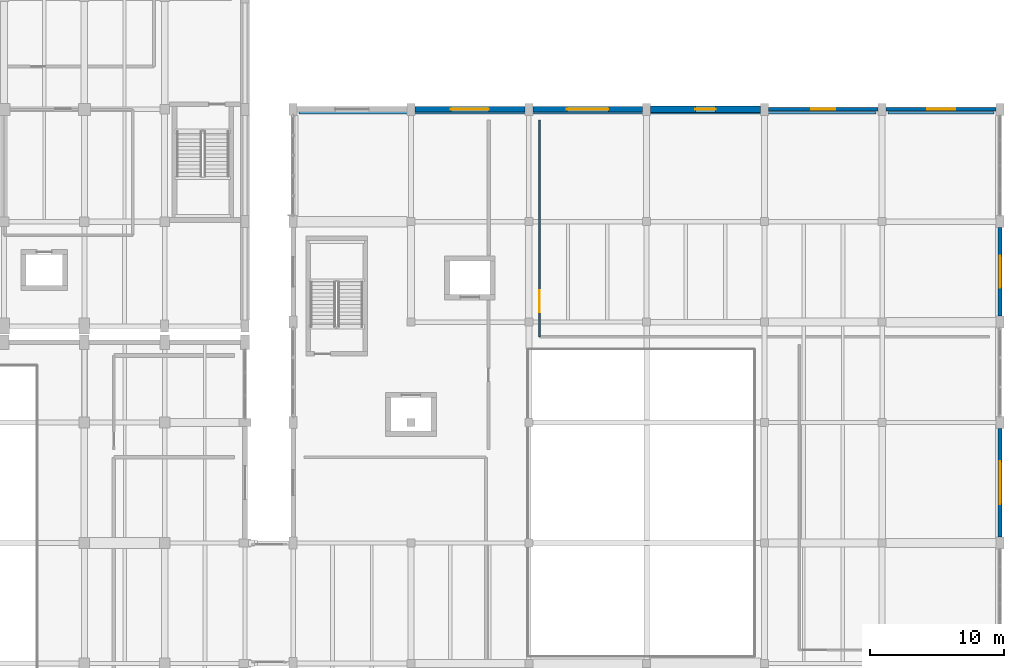
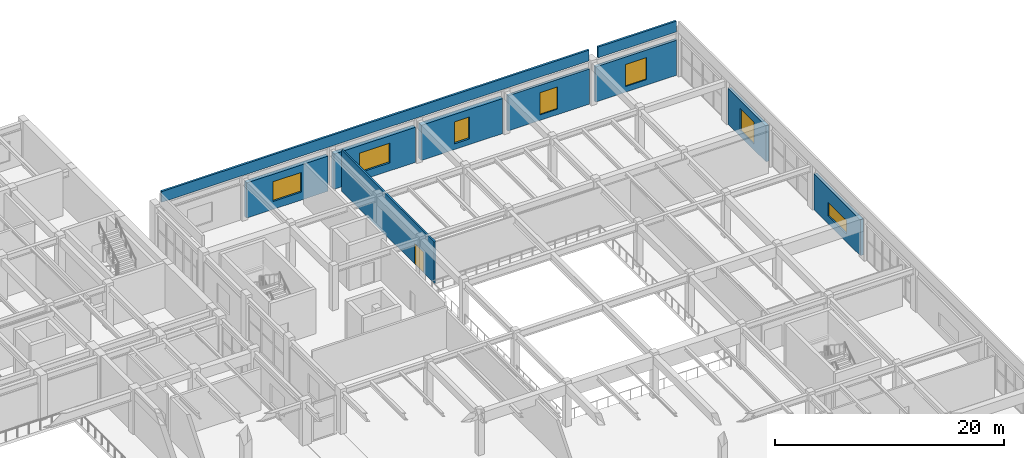
# One storey, part 76 of 96: 10 walls, 7 windows, 1 door, 8 openings.
"""IFC4 building model written with IfcOpenShell, lengths in metres."""

from ifc_helpers import new_model, si_unit, direction, frame, frame_2d, origin, place, context, subcontext, project, spatial, rectangle, extrude, material, layer, layer_set, type_object, element, fill, save


model = new_model("IFC4")

# Units and contexts
model_context = context("Model", 3, precision=1e-05, world=origin(), true_north=direction((0.0, 1.0)))
body_context = subcontext(model_context, "Body", "Model", "MODEL_VIEW")
ifc_project = project(units=[si_unit("LENGTHUNIT", "METRE"), si_unit("AREAUNIT", "SQUARE_METRE"), si_unit("VOLUMEUNIT", "CUBIC_METRE"), si_unit("PLANEANGLEUNIT", "RADIAN"), si_unit("MASSUNIT", "GRAM", prefix="KILO")], contexts=[model_context])

# Site, building, storey
site_placement = place(None, origin())
site = spatial("IfcSite", under=ifc_project, at=site_placement, CompositionType="ELEMENT")
building_placement = place(site_placement, origin())
building = spatial("IfcBuilding", under=site, at=building_placement, Name="Vaelkrest Opera House", CompositionType="ELEMENT")
storey_placement = place(building_placement, frame((0.0, 0.0, 5.39990234375)))
storey = spatial("IfcBuildingStorey", under=building, at=storey_placement, Name="L01", CompositionType="ELEMENT", Elevation=5.39990234375)

# Wall, opening, window
ifc_material_1 = material(Name="Douglas fir glulam GL28h", Category="wood")
ifc_layer_1 = layer(ifc_material_1, 0.2548828125)
ifc_layer_set_1 = layer_set([ifc_layer_1], Name="Douglas fir glulam GL28h")
wall_type_1 = type_object("IfcWallType", Name="EW01", PredefinedType="STANDARD", material=ifc_layer_set_1)
wall_1_placement = place(storey_placement, frame((69.097900390625, 33.60009765625, 0.0), z_axis=(0.0, 0.0, 1.0), x_axis=(1.0, 0.0, 0.0)))
wall_1 = element("IfcWall", 1, at=wall_1_placement, inside=storey, type_object=wall_type_1, Name="Exterior facade wall EW-V4-L01-0241", PredefinedType="STANDARD", context=body_context, shape_type="SweptSolid", body=[
    extrude(rectangle(XDim=8.2041015625, YDim=0.2548828125, at=frame_2d((4.10205078125, 0.0))), origin(), (0.0, 0.0, 1.0), 3.7451171875),
])
opening_1_placement = place(wall_1_placement, frame((3.201904296875, 0.0, 0.60009765625)))
opening_1 = element("IfcOpeningElement", 2, at=opening_1_placement, cuts=wall_1, Name="Opening WN126", PredefinedType="OPENING", context=body_context, shape_type="SweptSolid", body=[
    extrude(rectangle(XDim=1.800048828125, YDim=2.35009765625, at=frame_2d((0.89990234375, 1.175048828125))), frame((0.0, 0.137451171875, 0.0), z_axis=(0.0, -1.0, 0.0), x_axis=(1.0, 0.0, 0.0)), (0.0, 0.0, 1.0), 0.27490234375),
])
ifc_material_2 = material(Name="Double low-E insulated glazing", Category="glass")
window_type_1 = type_object("IfcWindowType", Name="WT22", PartitioningType="SINGLE_PANEL", PredefinedType="WINDOW", material=ifc_material_2)
window_1_placement = place(opening_1_placement, origin())
window_1 = element("IfcWindow", 3, at=window_1_placement, inside=storey, type_object=window_type_1, Name="Facade window WN126", OverallHeight=2.35009765625, OverallWidth=1.800048828125, PartitioningType="SINGLE_PANEL", PredefinedType="WINDOW", context=body_context, shape_type="SweptSolid", body=[
    extrude(rectangle(XDim=1.800048828125, YDim=2.35009765625, at=frame_2d((0.89990234375, 1.175048828125))), frame((0.0, 0.030029296875, 0.0), z_axis=(0.0, -1.0, 0.0), x_axis=(1.0, 0.0, 0.0)), (0.0, 0.0, 1.0), 0.06005859375),
])
fill(opening_1, window_1)

ifc_layer_2 = layer(ifc_material_1, 0.27490234375)
ifc_layer_set_2 = layer_set([ifc_layer_2], Name="Douglas fir glulam GL28h")
wall_type_2 = type_object("IfcWallType", Name="EW02", PredefinedType="STANDARD", material=ifc_layer_set_2)
wall_2_placement = place(storey_placement, frame((77.89794921875, 33.60009765625, 0.0), z_axis=(0.0, 0.0, 1.0), x_axis=(1.0, 0.0, 0.0)))
wall_2 = element("IfcWall", 4, at=wall_2_placement, inside=storey, type_object=wall_type_2, Name="Exterior facade wall EW-V4-L01-0242", PredefinedType="STANDARD", context=body_context, shape_type="SweptSolid", body=[
    extrude(rectangle(XDim=8.2041015625, YDim=0.27490234375, at=frame_2d((4.10205078125, 0.0))), origin(), (0.0, 0.0, 1.0), 3.7451171875),
])
opening_2_placement = place(wall_2_placement, frame((3.052001953125, 0.0, 0.60009765625)))
opening_2 = element("IfcOpeningElement", 5, at=opening_2_placement, cuts=wall_2, Name="Opening WN127", PredefinedType="OPENING", context=body_context, shape_type="SweptSolid", body=[
    extrude(rectangle(XDim=2.10009765625, YDim=2.35009765625, at=frame_2d((1.050048828125, 1.175048828125))), frame((0.0, 0.1474609375, 0.0), z_axis=(0.0, -1.0, 0.0), x_axis=(1.0, 0.0, 0.0)), (0.0, 0.0, 1.0), 0.294921875),
])
window_type_2 = type_object("IfcWindowType", Name="WT23", PartitioningType="SINGLE_PANEL", PredefinedType="WINDOW", material=ifc_material_2)
window_2_placement = place(opening_2_placement, origin())
window_2 = element("IfcWindow", 6, at=window_2_placement, inside=storey, type_object=window_type_2, Name="Facade window WN127", OverallHeight=2.35009765625, OverallWidth=2.10009765625, PartitioningType="SINGLE_PANEL", PredefinedType="WINDOW", context=body_context, shape_type="SweptSolid", body=[
    extrude(rectangle(XDim=2.10009765625, YDim=2.35009765625, at=frame_2d((1.050048828125, 1.175048828125))), frame((0.0, 0.030029296875, 0.0), z_axis=(0.0, -1.0, 0.0), x_axis=(1.0, 0.0, 0.0)), (0.0, 0.0, 1.0), 0.06005859375),
])
fill(opening_2, window_2)

ifc_layer_3 = layer(ifc_material_1, 0.294921875)
ifc_layer_set_3 = layer_set([ifc_layer_3], Name="Douglas fir glulam GL28h")
wall_type_3 = type_object("IfcWallType", Name="EW03", PredefinedType="STANDARD", material=ifc_layer_set_3)
wall_3_placement = place(storey_placement, frame((86.39990234375, 24.751953125, 0.0), z_axis=(0.0, 0.0, 1.0), x_axis=(0.0, -1.0, 0.0)))
wall_3 = element("IfcWall", 7, at=wall_3_placement, inside=storey, type_object=wall_type_3, Name="Exterior facade wall EW-V4-L01-0243", PredefinedType="STANDARD", context=body_context, shape_type="SweptSolid", body=[
    extrude(rectangle(XDim=6.60400390625, YDim=0.294921875, at=frame_2d((3.302001953125, 0.0))), origin(), (0.0, 0.0, 1.0), 3.8291015625),
])
opening_3_placement = place(wall_3_placement, frame((2.10205078125, 0.0, 0.60009765625)))
opening_3 = element("IfcOpeningElement", 8, at=opening_3_placement, cuts=wall_3, Name="Opening WN128", PredefinedType="OPENING", context=body_context, shape_type="SweptSolid", body=[
    extrude(rectangle(XDim=2.39990234375, YDim=2.35009765625, at=frame_2d((1.199951171875, 1.175048828125))), frame((0.0, 0.157470703125, 0.0), z_axis=(0.0, -1.0, 0.0), x_axis=(1.0, 0.0, 0.0)), (0.0, 0.0, 1.0), 0.31494140625),
])
window_type_3 = type_object("IfcWindowType", Name="WT24", PartitioningType="SINGLE_PANEL", PredefinedType="WINDOW", material=ifc_material_2)
window_3_placement = place(opening_3_placement, origin())
window_3 = element("IfcWindow", 9, at=window_3_placement, inside=storey, type_object=window_type_3, Name="Facade window WN128", OverallHeight=2.35009765625, OverallWidth=2.39990234375, PartitioningType="SINGLE_PANEL", PredefinedType="WINDOW", context=body_context, shape_type="SweptSolid", body=[
    extrude(rectangle(XDim=2.39990234375, YDim=2.35009765625, at=frame_2d((1.199951171875, 1.175048828125))), frame((0.0, 0.030029296875, 0.0), z_axis=(0.0, -1.0, 0.0), x_axis=(1.0, 0.0, 0.0)), (0.0, 0.0, 1.0), 0.06005859375),
])
fill(opening_3, window_3)

ifc_material_3 = material(Name="American black walnut acoustic timber", Category="wood")
ifc_layer_4 = layer(ifc_material_3, 0.31494140625)
ifc_layer_set_4 = layer_set([ifc_layer_4], Name="American black walnut acoustic timber")
wall_type_4 = type_object("IfcWallType", Name="EW04", PredefinedType="STANDARD", material=ifc_layer_set_4)
wall_4_placement = place(storey_placement, frame((86.39990234375, 9.751953125, 0.0), z_axis=(0.0, 0.0, 1.0), x_axis=(0.0, -1.0, 0.0)))
wall_4 = element("IfcWall", 10, at=wall_4_placement, inside=storey, type_object=wall_type_4, Name="Exterior facade wall EW-V4-L01-0244", PredefinedType="STANDARD", context=body_context, shape_type="SweptSolid", body=[
    extrude(rectangle(XDim=8.10400390625, YDim=0.31494140625, at=frame_2d((4.052001953125, 0.0))), origin(), (0.0, 0.0, 1.0), 3.8291015625),
])
opening_4_placement = place(wall_4_placement, frame((2.451904296875, 0.0, 0.85009765625)))
opening_4 = element("IfcOpeningElement", 11, at=opening_4_placement, cuts=wall_4, Name="Opening WN129", PredefinedType="OPENING", context=body_context, shape_type="SweptSolid", body=[
    extrude(rectangle(XDim=3.199951171875, YDim=1.449951171875, at=frame_2d((1.60009765625, 0.72509765625))), frame((0.0, 0.16748046875, 0.0), z_axis=(0.0, -1.0, 0.0), x_axis=(1.0, 0.0, 0.0)), (0.0, 0.0, 1.0), 0.3349609375),
])
window_type_4 = type_object("IfcWindowType", Name="WT25", PartitioningType="SINGLE_PANEL", PredefinedType="WINDOW", material=ifc_material_2)
window_4_placement = place(opening_4_placement, origin())
window_4 = element("IfcWindow", 12, at=window_4_placement, inside=storey, type_object=window_type_4, Name="Facade window WN129", OverallHeight=1.449951171875, OverallWidth=3.199951171875, PartitioningType="SINGLE_PANEL", PredefinedType="WINDOW", context=body_context, shape_type="SweptSolid", body=[
    extrude(rectangle(XDim=3.199951171875, YDim=1.449951171875, at=frame_2d((1.60009765625, 0.72509765625))), frame((0.0, 0.030029296875, 0.0), z_axis=(0.0, -1.0, 0.0), x_axis=(1.0, 0.0, 0.0)), (0.0, 0.0, 1.0), 0.06005859375),
])
fill(opening_4, window_4)

ifc_material_4 = material(Name="Concrete C40/50", Category="concrete")
ifc_layer_5 = layer(ifc_material_4, 0.409912109375)
ifc_layer_set_5 = layer_set([ifc_layer_5], Name="Concrete C40/50")
wall_type_5 = type_object("IfcWallType", Name="EW08", PredefinedType="STANDARD", material=ifc_layer_set_5)
wall_5_placement = place(storey_placement, frame((42.697998046875, 33.60009765625, 0.0), z_axis=(0.0, 0.0, 1.0), x_axis=(1.0, 0.0, 0.0)))
wall_5 = element("IfcWall", 13, at=wall_5_placement, inside=storey, type_object=wall_type_5, Name="Exterior facade wall EW-V4-L01-0238", PredefinedType="STANDARD", context=body_context, shape_type="SweptSolid", body=[
    extrude(rectangle(XDim=8.2041015625, YDim=0.409912109375, at=frame_2d((4.10205078125, 0.0))), origin(), (0.0, 0.0, 1.0), 3.7451171875),
])
opening_5_placement = place(wall_5_placement, frame((2.677001953125, 0.0, 0.85009765625)))
opening_5 = element("IfcOpeningElement", 14, at=opening_5_placement, cuts=wall_5, Name="Opening WN123", PredefinedType="OPENING", context=body_context, shape_type="SweptSolid", body=[
    extrude(rectangle(XDim=2.85009765625, YDim=2.10009765625, at=frame_2d((1.425048828125, 1.050048828125))), frame((0.0, 0.21484375, 0.0), z_axis=(0.0, -1.0, 0.0), x_axis=(1.0, 0.0, 0.0)), (0.0, 0.0, 1.0), 0.429931640625),
])
window_type_5 = type_object("IfcWindowType", Name="WT19", PartitioningType="SINGLE_PANEL", PredefinedType="WINDOW", material=ifc_material_2)
window_5_placement = place(opening_5_placement, origin())
window_5 = element("IfcWindow", 15, at=window_5_placement, inside=storey, type_object=window_type_5, Name="Facade window WN123", OverallHeight=2.10009765625, OverallWidth=2.85009765625, PartitioningType="SINGLE_PANEL", PredefinedType="WINDOW", context=body_context, shape_type="SweptSolid", body=[
    extrude(rectangle(XDim=2.85009765625, YDim=2.10009765625, at=frame_2d((1.425048828125, 1.050048828125))), frame((0.0, 0.030029296875, 0.0), z_axis=(0.0, -1.0, 0.0), x_axis=(1.0, 0.0, 0.0)), (0.0, 0.0, 1.0), 0.06005859375),
])
fill(opening_5, window_5)

ifc_layer_6 = layer(ifc_material_4, 0.43505859375)
ifc_layer_set_6 = layer_set([ifc_layer_6], Name="Concrete C40/50")
wall_type_6 = type_object("IfcWallType", Name="EW09", PredefinedType="STANDARD", material=ifc_layer_set_6)
wall_6_placement = place(storey_placement, frame((51.498046875, 33.60009765625, 0.0), z_axis=(0.0, 0.0, 1.0), x_axis=(1.0, 0.0, 0.0)))
wall_6 = element("IfcWall", 16, at=wall_6_placement, inside=storey, type_object=wall_type_6, Name="Exterior facade wall EW-V4-L01-0239", PredefinedType="STANDARD", context=body_context, shape_type="SweptSolid", body=[
    extrude(rectangle(XDim=8.203857421875, YDim=0.43505859375, at=frame_2d((4.10205078125, 0.0))), origin(), (0.0, 0.0, 1.0), 3.7451171875),
])
opening_6_placement = place(wall_6_placement, frame((2.552001953125, 0.0, 0.85009765625)))
opening_6 = element("IfcOpeningElement", 17, at=opening_6_placement, cuts=wall_6, Name="Opening WN124", PredefinedType="OPENING", context=body_context, shape_type="SweptSolid", body=[
    extrude(rectangle(XDim=3.10009765625, YDim=2.10009765625, at=frame_2d((1.550048828125, 1.050048828125))), frame((0.0, 0.2275390625, 0.0), z_axis=(0.0, -1.0, 0.0), x_axis=(1.0, 0.0, 0.0)), (0.0, 0.0, 1.0), 0.455078125),
])
window_type_6 = type_object("IfcWindowType", Name="WT20", PartitioningType="SINGLE_PANEL", PredefinedType="WINDOW", material=ifc_material_2)
window_6_placement = place(opening_6_placement, origin())
window_6 = element("IfcWindow", 18, at=window_6_placement, inside=storey, type_object=window_type_6, Name="Facade window WN124", OverallHeight=2.10009765625, OverallWidth=3.10009765625, PartitioningType="SINGLE_PANEL", PredefinedType="WINDOW", context=body_context, shape_type="SweptSolid", body=[
    extrude(rectangle(XDim=3.10009765625, YDim=2.10009765625, at=frame_2d((1.550048828125, 1.050048828125))), frame((0.0, 0.030029296875, 0.0), z_axis=(0.0, -1.0, 0.0), x_axis=(1.0, 0.0, 0.0)), (0.0, 0.0, 1.0), 0.06005859375),
])
fill(opening_6, window_6)

ifc_layer_7 = layer(ifc_material_4, 0.465087890625)
ifc_layer_set_7 = layer_set([ifc_layer_7], Name="Concrete C40/50")
wall_type_7 = type_object("IfcWallType", Name="EW10", PredefinedType="STANDARD", material=ifc_layer_set_7)
wall_7_placement = place(storey_placement, frame((60.298095703125, 33.60009765625, 0.0), z_axis=(0.0, 0.0, 1.0), x_axis=(1.0, 0.0, 0.0)))
wall_7 = element("IfcWall", 19, at=wall_7_placement, inside=storey, type_object=wall_type_7, Name="Exterior facade wall EW-V4-L01-0240", PredefinedType="STANDARD", context=body_context, shape_type="SweptSolid", body=[
    extrude(rectangle(XDim=8.203857421875, YDim=0.465087890625, at=frame_2d((4.10205078125, 0.0))), origin(), (0.0, 0.0, 1.0), 3.7451171875),
])
opening_7_placement = place(wall_7_placement, frame((3.35205078125, 0.0, 0.60009765625)))
opening_7 = element("IfcOpeningElement", 20, at=opening_7_placement, cuts=wall_7, Name="Opening WN125", PredefinedType="OPENING", context=body_context, shape_type="SweptSolid", body=[
    extrude(rectangle(XDim=1.5, YDim=2.35009765625, at=frame_2d((0.75, 1.175048828125))), frame((0.0, 0.242431640625, 0.0), z_axis=(0.0, -1.0, 0.0), x_axis=(1.0, 0.0, 0.0)), (0.0, 0.0, 1.0), 0.485107421875),
])
window_type_7 = type_object("IfcWindowType", Name="WT21", PartitioningType="SINGLE_PANEL", PredefinedType="WINDOW", material=ifc_material_2)
window_7_placement = place(opening_7_placement, origin())
window_7 = element("IfcWindow", 21, at=window_7_placement, inside=storey, type_object=window_type_7, Name="Facade window WN125", OverallHeight=2.35009765625, OverallWidth=1.5, PartitioningType="SINGLE_PANEL", PredefinedType="WINDOW", context=body_context, shape_type="SweptSolid", body=[
    extrude(rectangle(XDim=1.5, YDim=2.35009765625, at=frame_2d((0.75, 1.175048828125))), frame((0.0, 0.030029296875, 0.0), z_axis=(0.0, -1.0, 0.0), x_axis=(1.0, 0.0, 0.0)), (0.0, 0.0, 1.0), 0.06005859375),
])
fill(opening_7, window_7)

# Walls
ifc_layer_8 = layer(ifc_material_4, 0.205078125)
ifc_layer_set_8 = layer_set([ifc_layer_8], Name="Concrete C40/50")
wall_type_8 = type_object("IfcWallType", Name="PP01", PredefinedType="PARAPET", material=ifc_layer_set_8)
wall_8_placement = place(storey_placement, frame((85.949951171875, 33.35009765625, 4.800048828125), z_axis=(0.0, 0.0, 1.0), x_axis=(-1.0, 0.0, 0.0)))
element("IfcWall", 22, at=wall_8_placement, inside=storey, type_object=wall_type_8, Name="Roof parapet 11", PredefinedType="PARAPET", context=body_context, shape_type="SweptSolid", body=[
    extrude(rectangle(XDim=7.89990234375, YDim=0.205078125, at=frame_2d((3.949951171875, 0.0))), origin(), (0.0, 0.0, 1.0), 1.150146484375),
])
wall_9_placement = place(storey_placement, frame((77.14990234375, 33.35009765625, 4.800048828125), z_axis=(0.0, 0.0, 1.0), x_axis=(-1.0, 0.0, 0.0)))
element("IfcWall", 23, at=wall_9_placement, inside=storey, type_object=wall_type_8, Name="Roof parapet 12", PredefinedType="PARAPET", context=body_context, shape_type="SweptSolid", body=[
    extrude(rectangle(XDim=43.099853515625, YDim=0.205078125, at=frame_2d((21.5498046875, 0.0))), origin(), (0.0, 0.0, 1.0), 1.150146484375),
])

# Wall, opening, door
ifc_layer_9 = layer(ifc_material_3, 0.175048828125)
ifc_layer_set_9 = layer_set([ifc_layer_9], Name="American black walnut acoustic timber")
wall_type_9 = type_object("IfcWallType", Name="PT14", PredefinedType="PARTITIONING", material=ifc_layer_set_9)
wall_10_placement = place(storey_placement, frame((52.0, 16.60009765625, 0.0), z_axis=(0.0, 0.0, 1.0), x_axis=(0.0, 1.0, 0.0)))
wall_10 = element("IfcWall", 24, at=wall_10_placement, inside=storey, type_object=wall_type_9, Name="Interior partition PT-V4-L01-0364", PredefinedType="PARTITIONING", context=body_context, shape_type="SweptSolid", body=[
    extrude(rectangle(XDim=16.199951171875, YDim=0.175048828125, at=frame_2d((8.10009765625, 0.0))), origin(), (0.0, 0.0, 1.0), 4.420166015625),
])
opening_8_placement = place(wall_10_placement, frame((1.85009765625, 0.0, 0.0)))
opening_8 = element("IfcOpeningElement", 25, at=opening_8_placement, cuts=wall_10, Name="Opening D147", PredefinedType="OPENING", context=body_context, shape_type="SweptSolid", body=[
    extrude(rectangle(XDim=1.6201171875, YDim=2.199951171875, at=frame_2d((0.81005859375, 1.10009765625))), frame((0.0, 0.097412109375, 0.0), z_axis=(0.0, -1.0, 0.0), x_axis=(1.0, 0.0, 0.0)), (0.0, 0.0, 1.0), 0.195068359375),
])
door_type = type_object("IfcDoorType", Name="DT19", OperationType="DOUBLE_DOOR_SINGLE_SWING", PredefinedType="DOOR", material=ifc_material_3)
door_placement = place(opening_8_placement, origin())
door = element("IfcDoor", 26, at=door_placement, inside=storey, type_object=door_type, Name="Interior door D147 (Costume Workshop)", OperationType="DOUBLE_DOOR_SINGLE_SWING", OverallHeight=2.199951171875, OverallWidth=1.6201171875, PredefinedType="DOOR", context=body_context, shape_type="SweptSolid", body=[
    extrude(rectangle(XDim=1.6201171875, YDim=2.199951171875, at=frame_2d((0.81005859375, 1.10009765625))), frame((0.0, 0.02490234375, 0.0), z_axis=(0.0, -1.0, 0.0), x_axis=(1.0, 0.0, 0.0)), (0.0, 0.0, 1.0), 0.050048828125),
])
fill(opening_8, door)

save(model, "model.ifc")
